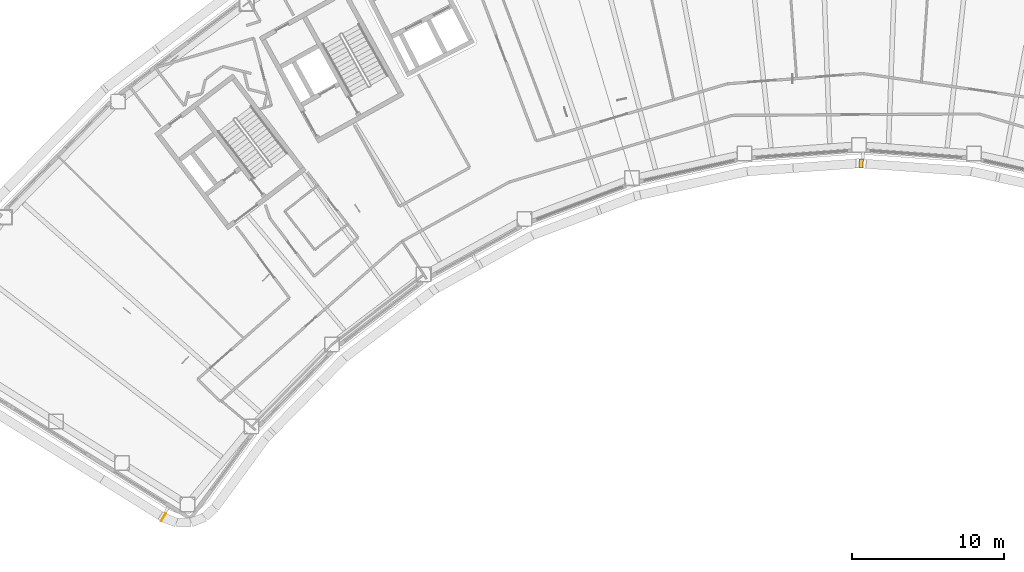
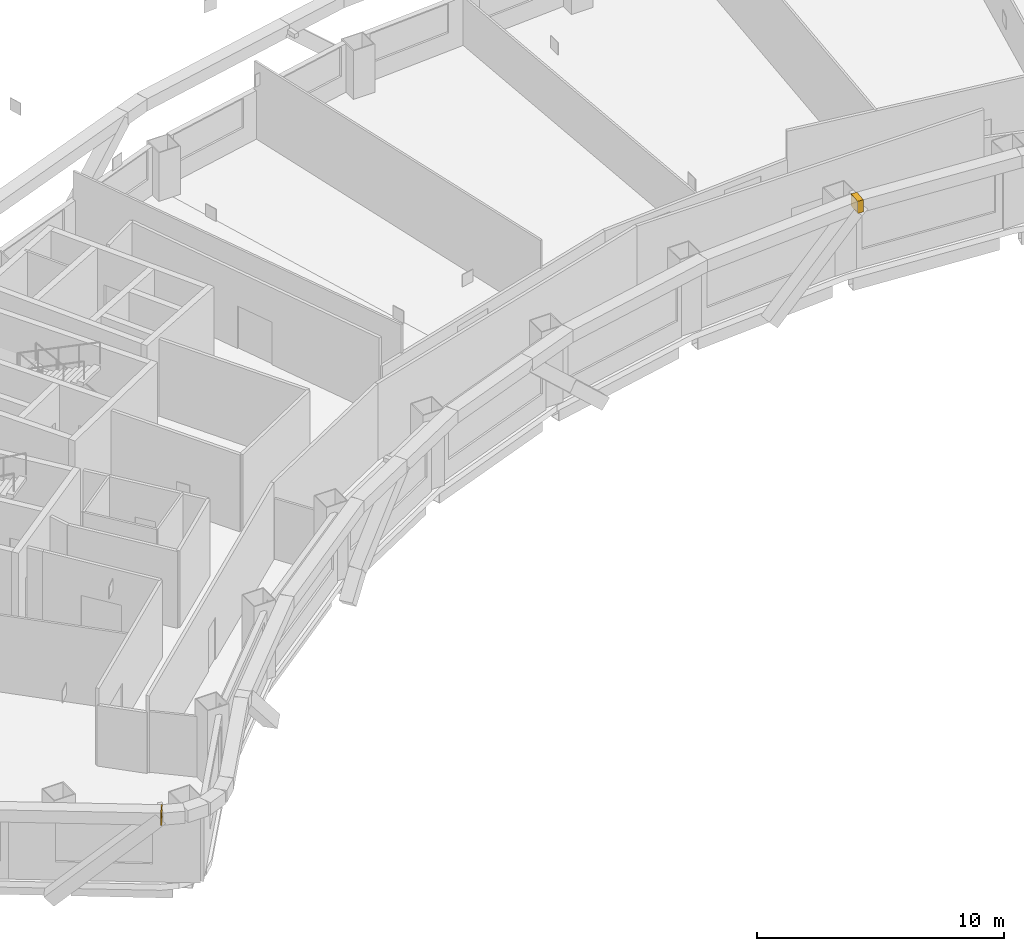
# One storey, part 19 of 19: 2 coverings.
"""IFC4 building model written with IfcOpenShell, lengths in metres."""

from ifc_helpers import new_model, si_unit, direction, frame, origin, origin_2d, place, context, subcontext, project, spatial, rectangle, extrude, material, material_profile, profile_set, type_object, element, save


model = new_model("IFC4")

# Units and contexts
model_context = context("Model", 3, precision=1e-05, world=origin(), true_north=direction((0.0, 1.0)))
body_context = subcontext(model_context, "Body", "Model", "MODEL_VIEW")
ifc_project = project(units=[si_unit("LENGTHUNIT", "METRE"), si_unit("AREAUNIT", "SQUARE_METRE"), si_unit("VOLUMEUNIT", "CUBIC_METRE"), si_unit("PLANEANGLEUNIT", "RADIAN"), si_unit("MASSUNIT", "GRAM", prefix="KILO")], contexts=[model_context])

# Site, building, storey
site_placement = place(None, origin())
site = spatial("IfcSite", under=ifc_project, at=site_placement, CompositionType="ELEMENT")
building_placement = place(site_placement, origin())
building = spatial("IfcBuilding", under=site, at=building_placement, Name="Tuul Gate Civic Tower", CompositionType="ELEMENT")
storey_placement = place(building_placement, frame((0.0, 0.0, 163.39990234375)))
storey = spatial("IfcBuildingStorey", under=building, at=storey_placement, Name="Level 37", CompositionType="ELEMENT", Elevation=163.39990234375)

# Coverings
ifc_material = material(Name="Terracotta baguette", Category="masonry")
ifc_material_profile = material_profile(ifc_material, rectangle(XDim=0.60009765625, YDim=0.60009765625, at=origin_2d()), Name="Terracotta baguette screen frame")
ifc_profile_set = profile_set([ifc_material_profile], Name="Terracotta baguette")
covering_type = type_object("IfcCoveringType", Name="Terracotta baguette screen frame", PredefinedType="CLADDING", material=ifc_profile_set)
covering_1_placement = place(storey_placement, frame((-40.554931640625, -36.6748046875, 3.85009765625), z_axis=(0.848261487435, -0.529577613702, 0.0), x_axis=(0.529577613702, 0.848261487435, 0.0)))
element("IfcCovering", 1, at=covering_1_placement, inside=storey, type_object=covering_type, Name="Baguette 171", PredefinedType="CLADDING", context=body_context, shape_type="SweptSolid", body=[
    extrude(rectangle(XDim=0.60009765625, YDim=0.60009765625, at=origin_2d()), origin(), (0.0, 0.0, 1.0), 0.052001953125),
])
covering_2_placement = place(storey_placement, frame((5.3740234375, -13.326904296875, 3.85009765625), z_axis=(0.997368261677, -0.072502073076, 0.0), x_axis=(0.072502073076, 0.997368261677, 0.0)))
element("IfcCovering", 2, at=covering_2_placement, inside=storey, type_object=covering_type, Name="Baguette 439", PredefinedType="CLADDING", context=body_context, shape_type="SweptSolid", body=[
    extrude(rectangle(XDim=0.60009765625, YDim=0.60009765625, at=origin_2d()), origin(), (0.0, 0.0, 1.0), 0.2626953125),
])

save(model, "model.ifc")
